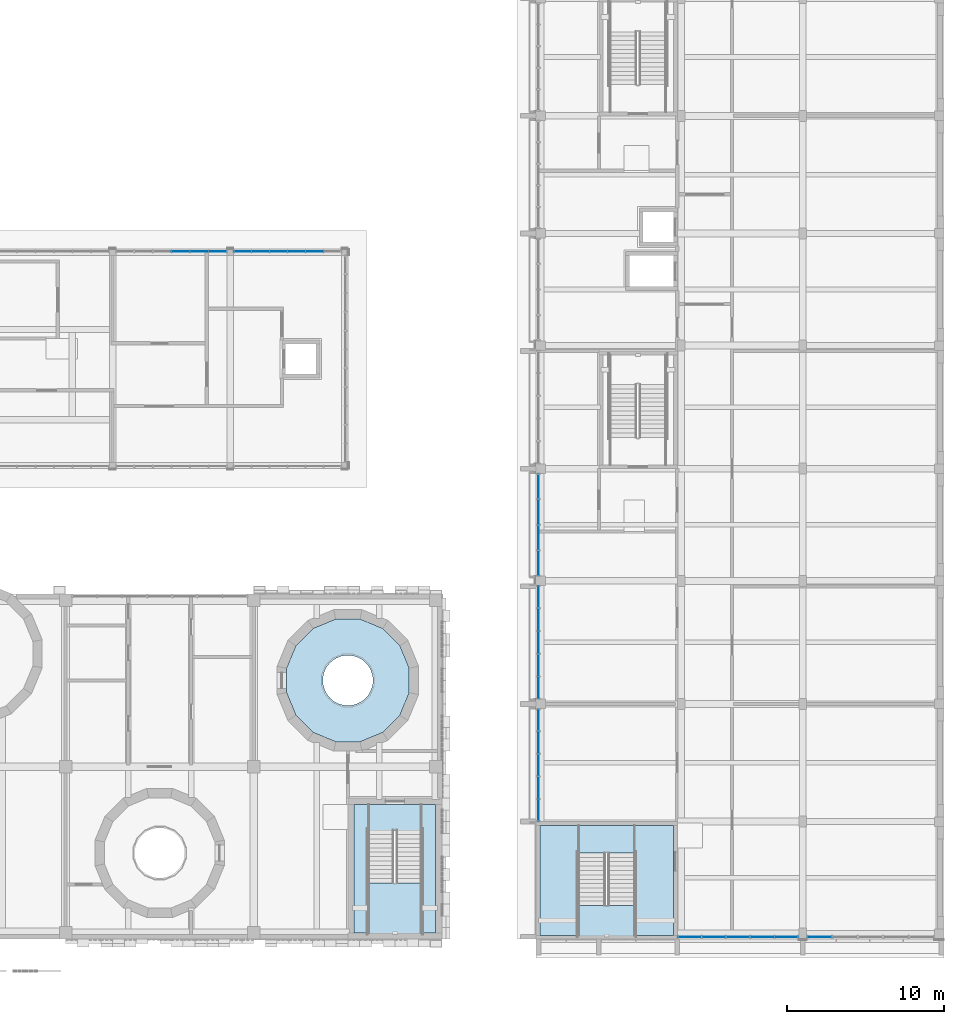
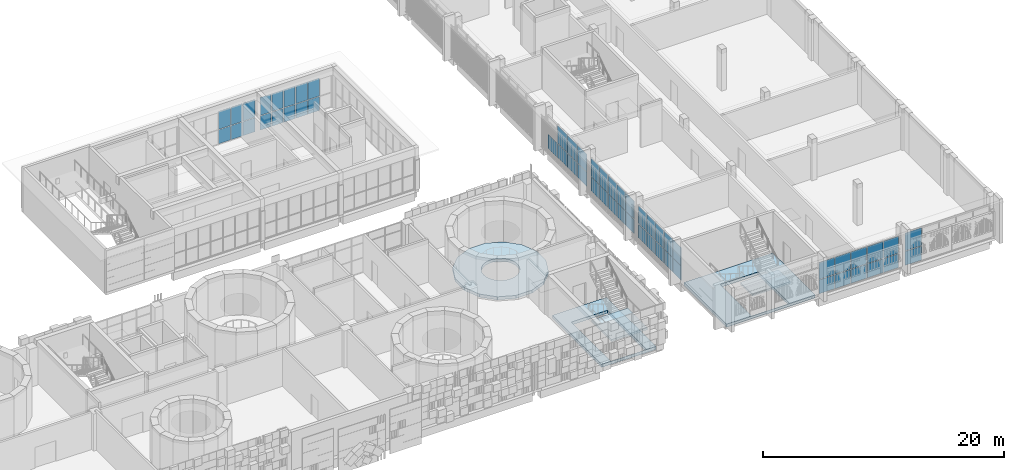
# One storey, part 42 of 92: 55 plates, 5 slabs, 9 elements without a shape of their own.
"""IFC4 building model written with IfcOpenShell, lengths in metres."""

from ifc_helpers import new_model, si_unit, direction, frame, origin, origin_2d, place, context, subcontext, project, spatial, polyline, rectangle, outline, extrude, material, layer, layer_set, type_object, element, aggregate, save


model = new_model("IFC4")

# Units and contexts
model_context = context("Model", 3, precision=1e-05, world=origin(), true_north=direction((0.0, 1.0)))
body_context = subcontext(model_context, "Body", "Model", "MODEL_VIEW")
ifc_project = project(units=[si_unit("LENGTHUNIT", "METRE"), si_unit("AREAUNIT", "SQUARE_METRE"), si_unit("VOLUMEUNIT", "CUBIC_METRE"), si_unit("PLANEANGLEUNIT", "RADIAN"), si_unit("MASSUNIT", "GRAM", prefix="KILO")], contexts=[model_context])

# Site, building, storey
site_placement = place(None, origin())
site = spatial("IfcSite", under=ifc_project, at=site_placement, CompositionType="ELEMENT")
building_placement = place(site_placement, origin())
building = spatial("IfcBuilding", under=site, at=building_placement, Name="Sun Court Science Centre", CompositionType="ELEMENT")
storey_placement = place(building_placement, frame((0.0, 0.0, 11.25)))
storey = spatial("IfcBuildingStorey", under=building, at=storey_placement, Name="L02", CompositionType="ELEMENT", Elevation=11.25)

# Curtain wall, plates
ifc_material_1 = material(Name="Aluminium EN AW-6063 T6", Category="aluminium")
curtain_wall_type_1 = type_object("IfcCurtainWallType", Name="Pavilion curtain wall 1200", PredefinedType="NOTDEFINED", material=ifc_material_1)
curtain_wall_1_placement = place(storey_placement, origin())
curtain_wall_1 = element("IfcCurtainWall", 1, at=curtain_wall_1_placement, inside=storey, type_object=curtain_wall_type_1, Name="Curtain wall V5 N L02 02", PredefinedType="NOTDEFINED")
ifc_material_2 = material(Name="Toughened safety glass", Category="glass")
ifc_layer_1 = layer(ifc_material_2, 0.0107421875)
ifc_layer_set_1 = layer_set([ifc_layer_1], Name="Toughened safety glass")
plate_type_1 = type_object("IfcPlateType", Name="Pavilion toughened glazing panel 10.8", PredefinedType="CURTAIN_PANEL", material=ifc_layer_set_1)
plate_1_placement = place(storey_placement, frame((55.341552734375, 49.85009765625, 0.0498046875), z_axis=(0.0, 0.0, 1.0), x_axis=(1.0, 0.0, 0.0)))
plate_1 = element("IfcPlate", 2, at=plate_1_placement, type_object=plate_type_1, Name="CW3-18 panel 4.1", PredefinedType="CURTAIN_PANEL", context=body_context, shape_type="SweptSolid", body=[
    extrude(rectangle(XDim=1.13330078125, YDim=0.0107421875, at=origin_2d()), origin(), (0.0, 0.0, 1.0), 1.425048828125),
])
plate_2_placement = place(storey_placement, frame((56.52490234375, 49.85009765625, 0.0498046875), z_axis=(0.0, 0.0, 1.0), x_axis=(1.0, 0.0, 0.0)))
plate_2 = element("IfcPlate", 3, at=plate_2_placement, type_object=plate_type_1, Name="CW3-18 panel 5.1", PredefinedType="CURTAIN_PANEL", context=body_context, shape_type="SweptSolid", body=[
    extrude(rectangle(XDim=1.13330078125, YDim=0.0107421875, at=origin_2d()), origin(), (0.0, 0.0, 1.0), 1.425048828125),
])
plate_3_placement = place(storey_placement, frame((57.69580078125, 49.85009765625, 0.0498046875), z_axis=(0.0, 0.0, 1.0), x_axis=(1.0, 0.0, 0.0)))
plate_3 = element("IfcPlate", 4, at=plate_3_placement, type_object=plate_type_1, Name="CW3-18 panel 6.1", PredefinedType="CURTAIN_PANEL", context=body_context, shape_type="SweptSolid", body=[
    extrude(rectangle(XDim=1.1083984375, YDim=0.0107421875, at=origin_2d()), origin(), (0.0, 0.0, 1.0), 1.425048828125),
])
plate_4_placement = place(storey_placement, frame((55.341552734375, 49.85009765625, 1.52490234375), z_axis=(0.0, 0.0, 1.0), x_axis=(1.0, 0.0, 0.0)))
plate_4 = element("IfcPlate", 5, at=plate_4_placement, type_object=plate_type_1, Name="CW3-18 panel 4.2", PredefinedType="CURTAIN_PANEL", context=body_context, shape_type="SweptSolid", body=[
    extrude(rectangle(XDim=1.13330078125, YDim=0.0107421875, at=origin_2d()), origin(), (0.0, 0.0, 1.0), 1.824951171875),
])
plate_5_placement = place(storey_placement, frame((56.52490234375, 49.85009765625, 1.52490234375), z_axis=(0.0, 0.0, 1.0), x_axis=(1.0, 0.0, 0.0)))
plate_5 = element("IfcPlate", 6, at=plate_5_placement, type_object=plate_type_1, Name="CW3-18 panel 5.2", PredefinedType="CURTAIN_PANEL", context=body_context, shape_type="SweptSolid", body=[
    extrude(rectangle(XDim=1.13330078125, YDim=0.0107421875, at=origin_2d()), origin(), (0.0, 0.0, 1.0), 1.824951171875),
])
plate_6_placement = place(storey_placement, frame((57.69580078125, 49.85009765625, 1.52490234375), z_axis=(0.0, 0.0, 1.0), x_axis=(1.0, 0.0, 0.0)))
plate_6 = element("IfcPlate", 7, at=plate_6_placement, type_object=plate_type_1, Name="CW3-18 panel 6.2", PredefinedType="CURTAIN_PANEL", context=body_context, shape_type="SweptSolid", body=[
    extrude(rectangle(XDim=1.1083984375, YDim=0.0107421875, at=origin_2d()), origin(), (0.0, 0.0, 1.0), 1.824951171875),
])
aggregate(curtain_wall_1, [plate_1, plate_2, plate_3, plate_4, plate_5, plate_6])

curtain_wall_2_placement = place(storey_placement, origin())
curtain_wall_2 = element("IfcCurtainWall", 8, at=curtain_wall_2_placement, inside=storey, type_object=curtain_wall_type_1, Name="Curtain wall V5 N L02 03", PredefinedType="NOTDEFINED")
plate_7_placement = place(storey_placement, frame((59.28759765625, 49.85009765625, 0.0498046875), z_axis=(0.0, 0.0, 1.0), x_axis=(1.0, 0.0, 0.0)))
plate_7 = element("IfcPlate", 9, at=plate_7_placement, type_object=plate_type_1, Name="CW3-19 panel 1.1", PredefinedType="CURTAIN_PANEL", context=body_context, shape_type="SweptSolid", body=[
    extrude(rectangle(XDim=1.074951171875, YDim=0.0107421875, at=origin_2d()), origin(), (0.0, 0.0, 1.0), 1.425048828125),
])
plate_8_placement = place(storey_placement, frame((60.425048828125, 49.85009765625, 0.0498046875), z_axis=(0.0, 0.0, 1.0), x_axis=(1.0, 0.0, 0.0)))
plate_8 = element("IfcPlate", 10, at=plate_8_placement, type_object=plate_type_1, Name="CW3-19 panel 2.1", PredefinedType="CURTAIN_PANEL", context=body_context, shape_type="SweptSolid", body=[
    extrude(rectangle(XDim=1.10009765625, YDim=0.0107421875, at=origin_2d()), origin(), (0.0, 0.0, 1.0), 1.425048828125),
])
plate_9_placement = place(storey_placement, frame((61.574951171875, 49.85009765625, 0.0498046875), z_axis=(0.0, 0.0, 1.0), x_axis=(1.0, 0.0, 0.0)))
plate_9 = element("IfcPlate", 11, at=plate_9_placement, type_object=plate_type_1, Name="CW3-19 panel 3.1", PredefinedType="CURTAIN_PANEL", context=body_context, shape_type="SweptSolid", body=[
    extrude(rectangle(XDim=1.10009765625, YDim=0.0107421875, at=origin_2d()), origin(), (0.0, 0.0, 1.0), 1.425048828125),
])
plate_10_placement = place(storey_placement, frame((62.72509765625, 49.85009765625, 0.0498046875), z_axis=(0.0, 0.0, 1.0), x_axis=(1.0, 0.0, 0.0)))
plate_10 = element("IfcPlate", 12, at=plate_10_placement, type_object=plate_type_1, Name="CW3-19 panel 4.1", PredefinedType="CURTAIN_PANEL", context=body_context, shape_type="SweptSolid", body=[
    extrude(rectangle(XDim=1.10009765625, YDim=0.0107421875, at=origin_2d()), origin(), (0.0, 0.0, 1.0), 1.425048828125),
])
plate_11_placement = place(storey_placement, frame((63.875, 49.85009765625, 0.0498046875), z_axis=(0.0, 0.0, 1.0), x_axis=(1.0, 0.0, 0.0)))
plate_11 = element("IfcPlate", 13, at=plate_11_placement, type_object=plate_type_1, Name="CW3-19 panel 5.1", PredefinedType="CURTAIN_PANEL", context=body_context, shape_type="SweptSolid", body=[
    extrude(rectangle(XDim=1.10009765625, YDim=0.0107421875, at=origin_2d()), origin(), (0.0, 0.0, 1.0), 1.425048828125),
])
plate_12_placement = place(storey_placement, frame((59.28759765625, 49.85009765625, 1.52490234375), z_axis=(0.0, 0.0, 1.0), x_axis=(1.0, 0.0, 0.0)))
plate_12 = element("IfcPlate", 14, at=plate_12_placement, type_object=plate_type_1, Name="CW3-19 panel 1.2", PredefinedType="CURTAIN_PANEL", context=body_context, shape_type="SweptSolid", body=[
    extrude(rectangle(XDim=1.074951171875, YDim=0.0107421875, at=origin_2d()), origin(), (0.0, 0.0, 1.0), 1.824951171875),
])
plate_13_placement = place(storey_placement, frame((60.425048828125, 49.85009765625, 1.52490234375), z_axis=(0.0, 0.0, 1.0), x_axis=(1.0, 0.0, 0.0)))
plate_13 = element("IfcPlate", 15, at=plate_13_placement, type_object=plate_type_1, Name="CW3-19 panel 2.2", PredefinedType="CURTAIN_PANEL", context=body_context, shape_type="SweptSolid", body=[
    extrude(rectangle(XDim=1.10009765625, YDim=0.0107421875, at=origin_2d()), origin(), (0.0, 0.0, 1.0), 1.824951171875),
])
plate_14_placement = place(storey_placement, frame((61.574951171875, 49.85009765625, 1.52490234375), z_axis=(0.0, 0.0, 1.0), x_axis=(1.0, 0.0, 0.0)))
plate_14 = element("IfcPlate", 16, at=plate_14_placement, type_object=plate_type_1, Name="CW3-19 panel 3.2", PredefinedType="CURTAIN_PANEL", context=body_context, shape_type="SweptSolid", body=[
    extrude(rectangle(XDim=1.10009765625, YDim=0.0107421875, at=origin_2d()), origin(), (0.0, 0.0, 1.0), 1.824951171875),
])
plate_15_placement = place(storey_placement, frame((62.72509765625, 49.85009765625, 1.52490234375), z_axis=(0.0, 0.0, 1.0), x_axis=(1.0, 0.0, 0.0)))
plate_15 = element("IfcPlate", 17, at=plate_15_placement, type_object=plate_type_1, Name="CW3-19 panel 4.2", PredefinedType="CURTAIN_PANEL", context=body_context, shape_type="SweptSolid", body=[
    extrude(rectangle(XDim=1.10009765625, YDim=0.0107421875, at=origin_2d()), origin(), (0.0, 0.0, 1.0), 1.824951171875),
])
plate_16_placement = place(storey_placement, frame((63.875, 49.85009765625, 1.52490234375), z_axis=(0.0, 0.0, 1.0), x_axis=(1.0, 0.0, 0.0)))
plate_16 = element("IfcPlate", 18, at=plate_16_placement, type_object=plate_type_1, Name="CW3-19 panel 5.2", PredefinedType="CURTAIN_PANEL", context=body_context, shape_type="SweptSolid", body=[
    extrude(rectangle(XDim=1.10009765625, YDim=0.0107421875, at=origin_2d()), origin(), (0.0, 0.0, 1.0), 1.824951171875),
])
aggregate(curtain_wall_2, [plate_7, plate_8, plate_9, plate_10, plate_11, plate_12, plate_13, plate_14, plate_15, plate_16])

# Slabs
ifc_material_3 = material(Name="Concrete C25/30", Category="concrete")
ifc_layer_2 = layer(ifc_material_3, 0.300048828125)
ifc_layer_set_2 = layer_set([ifc_layer_2], Name="Concrete C25/30")
slab_type_1 = type_object("IfcSlabType", Name="RC floor slab 300", PredefinedType="FLOOR", material=ifc_layer_set_2)
slab_1_placement = place(storey_placement, frame((0.0, 0.0, -0.300048828125)))
element("IfcSlab", 19, at=slab_1_placement, inside=storey, type_object=slab_type_1, Name="Stair SB3 landing slab L02", PredefinedType="FLOOR", context=body_context, shape_type="SweptSolid", body=[
    extrude(outline(polyline([(66.39990234375, 14.60009765625), (66.39990234375, 6.39990234375), (71.60009765625, 6.39990234375), (71.60009765625, 14.60009765625), (66.39990234375, 14.60009765625)]), holes=[polyline([(67.277099609375, 6.405029296875), (67.277099609375, 12.947021484375), (70.722900390625, 12.947021484375), (70.722900390625, 6.405029296875), (67.277099609375, 6.405029296875)])]), origin(), (0.0, 0.0, 1.0), 0.300048828125),
])
slab_2_placement = place(storey_placement, frame((0.0, 0.0, -0.300048828125)))
element("IfcSlab", 20, at=slab_2_placement, inside=storey, type_object=slab_type_1, Name="Cone 6 gallery floor L02", PredefinedType="FLOOR", context=body_context, shape_type="SweptSolid", body=[
    extrude(outline(polyline([(69.91162109375, 21.721923828125), (69.91162109375, 23.278076171875), (69.316162109375, 24.7158203125), (68.2158203125, 25.816162109375), (66.778076171875, 26.41162109375), (65.221923828125, 26.41162109375), (63.7841796875, 25.816162109375), (62.683837890625, 24.7158203125), (62.08837890625, 23.278076171875), (62.08837890625, 21.721923828125), (62.683837890625, 20.2841796875), (63.7841796875, 19.183837890625), (65.221923828125, 18.58837890625), (66.778076171875, 18.58837890625), (68.2158203125, 19.183837890625), (69.316162109375, 20.2841796875), (69.91162109375, 21.721923828125)]), holes=[polyline([(67.58642578125, 22.708740234375), (67.60009765625, 22.5), (67.58642578125, 22.291259765625), (67.54541015625, 22.0859375), (67.478271484375, 21.8876953125), (67.3857421875, 21.699951171875), (67.269287109375, 21.52587890625), (67.13134765625, 21.36865234375), (66.97412109375, 21.230712890625), (66.800048828125, 21.1142578125), (66.6123046875, 21.021728515625), (66.4140625, 20.95458984375), (66.208740234375, 20.91357421875), (66.0, 20.89990234375), (65.791259765625, 20.91357421875), (65.5859375, 20.95458984375), (65.3876953125, 21.021728515625), (65.199951171875, 21.1142578125), (65.02587890625, 21.230712890625), (64.86865234375, 21.36865234375), (64.730712890625, 21.52587890625), (64.6142578125, 21.699951171875), (64.521728515625, 21.8876953125), (64.45458984375, 22.0859375), (64.41357421875, 22.291259765625), (64.39990234375, 22.5), (64.41357421875, 22.708740234375), (64.45458984375, 22.9140625), (64.521728515625, 23.1123046875), (64.6142578125, 23.300048828125), (64.730712890625, 23.47412109375), (64.86865234375, 23.63134765625), (65.02587890625, 23.769287109375), (65.199951171875, 23.8857421875), (65.3876953125, 23.978271484375), (65.5859375, 24.04541015625), (65.791259765625, 24.08642578125), (66.0, 24.10009765625), (66.208740234375, 24.08642578125), (66.4140625, 24.04541015625), (66.6123046875, 23.978271484375), (66.800048828125, 23.8857421875), (66.97412109375, 23.769287109375), (67.13134765625, 23.63134765625), (67.269287109375, 23.47412109375), (67.3857421875, 23.300048828125), (67.478271484375, 23.1123046875), (67.54541015625, 22.9140625), (67.58642578125, 22.708740234375)])]), origin(), (0.0, 0.0, 1.0), 0.300048828125),
])
slab_3_placement = place(storey_placement, frame((0.0, 0.0, -0.300048828125)))
element("IfcSlab", 21, at=slab_3_placement, inside=storey, type_object=slab_type_1, Name="Stair SL1 landing slab L02", PredefinedType="FLOOR", context=body_context, shape_type="SweptSolid", body=[
    extrude(outline(polyline([(78.25, 13.25), (78.25, 6.25), (86.75, 6.25), (86.75, 13.25), (78.25, 13.25)]), holes=[polyline([(80.677001953125, 6.2548828125), (80.677001953125, 11.4970703125), (84.322998046875, 11.4970703125), (84.322998046875, 6.2548828125), (80.677001953125, 6.2548828125)])]), origin(), (0.0, 0.0, 1.0), 0.300048828125),
])

# Curtain wall, plates
ifc_material_4 = material(Name="Aluminium EN AW-6063 T6", Category="aluminium")
curtain_wall_type_2 = type_object("IfcCurtainWallType", Name="Laboratory tall bay curtain wall 1500", PredefinedType="NOTDEFINED", material=ifc_material_4)
curtain_wall_3_placement = place(storey_placement, origin())
curtain_wall_3 = element("IfcCurtainWall", 22, at=curtain_wall_3_placement, inside=storey, type_object=curtain_wall_type_2, Name="Curtain wall V4 W L02 01", PredefinedType="NOTDEFINED")
ifc_material_5 = material(Name="Solar-control glass", Category="glass")
ifc_layer_3 = layer(ifc_material_5, 0.028076171875)
ifc_layer_set_3 = layer_set([ifc_layer_3], Name="Solar-control glass")
plate_type_2 = type_object("IfcPlateType", Name="Solar-control glazing panel 8-12-8", PredefinedType="CURTAIN_PANEL", material=ifc_layer_set_3)
plate_17_placement = place(storey_placement, frame((78.14990234375, 14.235107421875, 0.06005859375), z_axis=(0.0, 0.0, 1.0), x_axis=(0.0, 1.0, 0.0)))
plate_17 = element("IfcPlate", 23, at=plate_17_placement, type_object=plate_type_2, Name="CW2-19 panel 1.1", PredefinedType="CURTAIN_PANEL", context=body_context, shape_type="SweptSolid", body=[
    extrude(rectangle(XDim=1.35009765625, YDim=0.028076171875, at=origin_2d()), origin(), (0.0, 0.0, 1.0), 1.409912109375),
])
plate_18_placement = place(storey_placement, frame((78.14990234375, 15.659912109375, 0.06005859375), z_axis=(0.0, 0.0, 1.0), x_axis=(0.0, 1.0, 0.0)))
plate_18 = element("IfcPlate", 24, at=plate_18_placement, type_object=plate_type_2, Name="CW2-19 panel 2.1", PredefinedType="CURTAIN_PANEL", context=body_context, shape_type="SweptSolid", body=[
    extrude(rectangle(XDim=1.3798828125, YDim=0.028076171875, at=origin_2d()), origin(), (0.0, 0.0, 1.0), 1.409912109375),
])
plate_19_placement = place(storey_placement, frame((78.14990234375, 17.10009765625, 0.06005859375), z_axis=(0.0, 0.0, 1.0), x_axis=(0.0, 1.0, 0.0)))
plate_19 = element("IfcPlate", 25, at=plate_19_placement, type_object=plate_type_2, Name="CW2-19 panel 3.1", PredefinedType="CURTAIN_PANEL", context=body_context, shape_type="SweptSolid", body=[
    extrude(rectangle(XDim=1.3798828125, YDim=0.028076171875, at=origin_2d()), origin(), (0.0, 0.0, 1.0), 1.409912109375),
])
plate_20_placement = place(storey_placement, frame((78.14990234375, 18.5400390625, 0.06005859375), z_axis=(0.0, 0.0, 1.0), x_axis=(0.0, 1.0, 0.0)))
plate_20 = element("IfcPlate", 26, at=plate_20_placement, type_object=plate_type_2, Name="CW2-19 panel 4.1", PredefinedType="CURTAIN_PANEL", context=body_context, shape_type="SweptSolid", body=[
    extrude(rectangle(XDim=1.3798828125, YDim=0.028076171875, at=origin_2d()), origin(), (0.0, 0.0, 1.0), 1.409912109375),
])
plate_21_placement = place(storey_placement, frame((78.14990234375, 19.965087890625, 0.06005859375), z_axis=(0.0, 0.0, 1.0), x_axis=(0.0, 1.0, 0.0)))
plate_21 = element("IfcPlate", 27, at=plate_21_placement, type_object=plate_type_2, Name="CW2-19 panel 5.1", PredefinedType="CURTAIN_PANEL", context=body_context, shape_type="SweptSolid", body=[
    extrude(rectangle(XDim=1.35009765625, YDim=0.028076171875, at=origin_2d()), origin(), (0.0, 0.0, 1.0), 1.409912109375),
])
plate_22_placement = place(storey_placement, frame((78.14990234375, 14.235107421875, 1.530029296875), z_axis=(0.0, 0.0, 1.0), x_axis=(0.0, 1.0, 0.0)))
plate_22 = element("IfcPlate", 28, at=plate_22_placement, type_object=plate_type_2, Name="CW2-19 panel 1.2", PredefinedType="CURTAIN_PANEL", context=body_context, shape_type="SweptSolid", body=[
    extrude(rectangle(XDim=1.35009765625, YDim=0.028076171875, at=origin_2d()), origin(), (0.0, 0.0, 1.0), 1.81005859375),
])
plate_23_placement = place(storey_placement, frame((78.14990234375, 15.659912109375, 1.530029296875), z_axis=(0.0, 0.0, 1.0), x_axis=(0.0, 1.0, 0.0)))
plate_23 = element("IfcPlate", 29, at=plate_23_placement, type_object=plate_type_2, Name="CW2-19 panel 2.2", PredefinedType="CURTAIN_PANEL", context=body_context, shape_type="SweptSolid", body=[
    extrude(rectangle(XDim=1.3798828125, YDim=0.028076171875, at=origin_2d()), origin(), (0.0, 0.0, 1.0), 1.81005859375),
])
plate_24_placement = place(storey_placement, frame((78.14990234375, 17.10009765625, 1.530029296875), z_axis=(0.0, 0.0, 1.0), x_axis=(0.0, 1.0, 0.0)))
plate_24 = element("IfcPlate", 30, at=plate_24_placement, type_object=plate_type_2, Name="CW2-19 panel 3.2", PredefinedType="CURTAIN_PANEL", context=body_context, shape_type="SweptSolid", body=[
    extrude(rectangle(XDim=1.3798828125, YDim=0.028076171875, at=origin_2d()), origin(), (0.0, 0.0, 1.0), 1.81005859375),
])
plate_25_placement = place(storey_placement, frame((78.14990234375, 18.5400390625, 1.530029296875), z_axis=(0.0, 0.0, 1.0), x_axis=(0.0, 1.0, 0.0)))
plate_25 = element("IfcPlate", 31, at=plate_25_placement, type_object=plate_type_2, Name="CW2-19 panel 4.2", PredefinedType="CURTAIN_PANEL", context=body_context, shape_type="SweptSolid", body=[
    extrude(rectangle(XDim=1.3798828125, YDim=0.028076171875, at=origin_2d()), origin(), (0.0, 0.0, 1.0), 1.81005859375),
])
plate_26_placement = place(storey_placement, frame((78.14990234375, 19.965087890625, 1.530029296875), z_axis=(0.0, 0.0, 1.0), x_axis=(0.0, 1.0, 0.0)))
plate_26 = element("IfcPlate", 32, at=plate_26_placement, type_object=plate_type_2, Name="CW2-19 panel 5.2", PredefinedType="CURTAIN_PANEL", context=body_context, shape_type="SweptSolid", body=[
    extrude(rectangle(XDim=1.35009765625, YDim=0.028076171875, at=origin_2d()), origin(), (0.0, 0.0, 1.0), 1.81005859375),
])
aggregate(curtain_wall_3, [plate_17, plate_18, plate_19, plate_20, plate_21, plate_22, plate_23, plate_24, plate_25, plate_26])

curtain_wall_4_placement = place(storey_placement, origin())
curtain_wall_4 = element("IfcCurtainWall", 33, at=curtain_wall_4_placement, inside=storey, type_object=curtain_wall_type_2, Name="Curtain wall V4 W L02 02", PredefinedType="NOTDEFINED")
plate_27_placement = place(storey_placement, frame((78.14990234375, 22.0400390625, 0.06005859375), z_axis=(0.0, 0.0, 1.0), x_axis=(0.0, 1.0, 0.0)))
plate_27 = element("IfcPlate", 34, at=plate_27_placement, type_object=plate_type_2, Name="CW2-20 panel 1.1", PredefinedType="CURTAIN_PANEL", context=body_context, shape_type="SweptSolid", body=[
    extrude(rectangle(XDim=1.360107421875, YDim=0.028076171875, at=origin_2d()), origin(), (0.0, 0.0, 1.0), 1.409912109375),
])
plate_28_placement = place(storey_placement, frame((78.14990234375, 23.47509765625, 0.06005859375), z_axis=(0.0, 0.0, 1.0), x_axis=(0.0, 1.0, 0.0)))
plate_28 = element("IfcPlate", 35, at=plate_28_placement, type_object=plate_type_2, Name="CW2-20 panel 2.1", PredefinedType="CURTAIN_PANEL", context=body_context, shape_type="SweptSolid", body=[
    extrude(rectangle(XDim=1.389892578125, YDim=0.028076171875, at=origin_2d()), origin(), (0.0, 0.0, 1.0), 1.409912109375),
])
plate_29_placement = place(storey_placement, frame((78.14990234375, 24.925048828125, 0.06005859375), z_axis=(0.0, 0.0, 1.0), x_axis=(0.0, 1.0, 0.0)))
plate_29 = element("IfcPlate", 36, at=plate_29_placement, type_object=plate_type_2, Name="CW2-20 panel 3.1", PredefinedType="CURTAIN_PANEL", context=body_context, shape_type="SweptSolid", body=[
    extrude(rectangle(XDim=1.389892578125, YDim=0.028076171875, at=origin_2d()), origin(), (0.0, 0.0, 1.0), 1.409912109375),
])
plate_30_placement = place(storey_placement, frame((78.14990234375, 26.375, 0.06005859375), z_axis=(0.0, 0.0, 1.0), x_axis=(0.0, 1.0, 0.0)))
plate_30 = element("IfcPlate", 37, at=plate_30_placement, type_object=plate_type_2, Name="CW2-20 panel 4.1", PredefinedType="CURTAIN_PANEL", context=body_context, shape_type="SweptSolid", body=[
    extrude(rectangle(XDim=1.389892578125, YDim=0.028076171875, at=origin_2d()), origin(), (0.0, 0.0, 1.0), 1.409912109375),
])
plate_31_placement = place(storey_placement, frame((78.14990234375, 27.81005859375, 0.06005859375), z_axis=(0.0, 0.0, 1.0), x_axis=(0.0, 1.0, 0.0)))
plate_31 = element("IfcPlate", 38, at=plate_31_placement, type_object=plate_type_2, Name="CW2-20 panel 5.1", PredefinedType="CURTAIN_PANEL", context=body_context, shape_type="SweptSolid", body=[
    extrude(rectangle(XDim=1.360107421875, YDim=0.028076171875, at=origin_2d()), origin(), (0.0, 0.0, 1.0), 1.409912109375),
])
plate_32_placement = place(storey_placement, frame((78.14990234375, 22.0400390625, 1.530029296875), z_axis=(0.0, 0.0, 1.0), x_axis=(0.0, 1.0, 0.0)))
plate_32 = element("IfcPlate", 39, at=plate_32_placement, type_object=plate_type_2, Name="CW2-20 panel 1.2", PredefinedType="CURTAIN_PANEL", context=body_context, shape_type="SweptSolid", body=[
    extrude(rectangle(XDim=1.360107421875, YDim=0.028076171875, at=origin_2d()), origin(), (0.0, 0.0, 1.0), 1.81005859375),
])
plate_33_placement = place(storey_placement, frame((78.14990234375, 23.47509765625, 1.530029296875), z_axis=(0.0, 0.0, 1.0), x_axis=(0.0, 1.0, 0.0)))
plate_33 = element("IfcPlate", 40, at=plate_33_placement, type_object=plate_type_2, Name="CW2-20 panel 2.2", PredefinedType="CURTAIN_PANEL", context=body_context, shape_type="SweptSolid", body=[
    extrude(rectangle(XDim=1.389892578125, YDim=0.028076171875, at=origin_2d()), origin(), (0.0, 0.0, 1.0), 1.81005859375),
])
plate_34_placement = place(storey_placement, frame((78.14990234375, 24.925048828125, 1.530029296875), z_axis=(0.0, 0.0, 1.0), x_axis=(0.0, 1.0, 0.0)))
plate_34 = element("IfcPlate", 41, at=plate_34_placement, type_object=plate_type_2, Name="CW2-20 panel 3.2", PredefinedType="CURTAIN_PANEL", context=body_context, shape_type="SweptSolid", body=[
    extrude(rectangle(XDim=1.389892578125, YDim=0.028076171875, at=origin_2d()), origin(), (0.0, 0.0, 1.0), 1.81005859375),
])
plate_35_placement = place(storey_placement, frame((78.14990234375, 26.375, 1.530029296875), z_axis=(0.0, 0.0, 1.0), x_axis=(0.0, 1.0, 0.0)))
plate_35 = element("IfcPlate", 42, at=plate_35_placement, type_object=plate_type_2, Name="CW2-20 panel 4.2", PredefinedType="CURTAIN_PANEL", context=body_context, shape_type="SweptSolid", body=[
    extrude(rectangle(XDim=1.389892578125, YDim=0.028076171875, at=origin_2d()), origin(), (0.0, 0.0, 1.0), 1.81005859375),
])
plate_36_placement = place(storey_placement, frame((78.14990234375, 27.81005859375, 1.530029296875), z_axis=(0.0, 0.0, 1.0), x_axis=(0.0, 1.0, 0.0)))
plate_36 = element("IfcPlate", 43, at=plate_36_placement, type_object=plate_type_2, Name="CW2-20 panel 5.2", PredefinedType="CURTAIN_PANEL", context=body_context, shape_type="SweptSolid", body=[
    extrude(rectangle(XDim=1.360107421875, YDim=0.028076171875, at=origin_2d()), origin(), (0.0, 0.0, 1.0), 1.81005859375),
])
aggregate(curtain_wall_4, [plate_27, plate_28, plate_29, plate_30, plate_31, plate_32, plate_33, plate_34, plate_35, plate_36])

curtain_wall_5_placement = place(storey_placement, origin())
curtain_wall_5 = element("IfcCurtainWall", 44, at=curtain_wall_5_placement, inside=storey, type_object=curtain_wall_type_2, Name="Curtain wall V4 W L02 03", PredefinedType="NOTDEFINED")
plate_37_placement = place(storey_placement, frame((78.14990234375, 29.983642578125, 0.06005859375), z_axis=(0.0, 0.0, 1.0), x_axis=(0.0, 1.0, 0.0)))
plate_37 = element("IfcPlate", 45, at=plate_37_placement, type_object=plate_type_2, Name="CW2-21 panel 1.1", PredefinedType="CURTAIN_PANEL", context=body_context, shape_type="SweptSolid", body=[
    extrude(rectangle(XDim=1.547607421875, YDim=0.028076171875, at=origin_2d()), origin(), (0.0, 0.0, 1.0), 1.409912109375),
])
plate_38_placement = place(storey_placement, frame((78.14990234375, 31.606201171875, 0.06005859375), z_axis=(0.0, 0.0, 1.0), x_axis=(0.0, 1.0, 0.0)))
plate_38 = element("IfcPlate", 46, at=plate_38_placement, type_object=plate_type_2, Name="CW2-21 panel 2.1", PredefinedType="CURTAIN_PANEL", context=body_context, shape_type="SweptSolid", body=[
    extrude(rectangle(XDim=1.577392578125, YDim=0.028076171875, at=origin_2d()), origin(), (0.0, 0.0, 1.0), 1.409912109375),
])
plate_39_placement = place(storey_placement, frame((78.14990234375, 33.24365234375, 0.06005859375), z_axis=(0.0, 0.0, 1.0), x_axis=(0.0, 1.0, 0.0)))
plate_39 = element("IfcPlate", 47, at=plate_39_placement, type_object=plate_type_2, Name="CW2-21 panel 3.1", PredefinedType="CURTAIN_PANEL", context=body_context, shape_type="SweptSolid", body=[
    extrude(rectangle(XDim=1.577392578125, YDim=0.028076171875, at=origin_2d()), origin(), (0.0, 0.0, 1.0), 1.409912109375),
])
plate_40_placement = place(storey_placement, frame((78.14990234375, 34.8662109375, 0.06005859375), z_axis=(0.0, 0.0, 1.0), x_axis=(0.0, 1.0, 0.0)))
plate_40 = element("IfcPlate", 48, at=plate_40_placement, type_object=plate_type_2, Name="CW2-21 panel 4.1", PredefinedType="CURTAIN_PANEL", context=body_context, shape_type="SweptSolid", body=[
    extrude(rectangle(XDim=1.547607421875, YDim=0.028076171875, at=origin_2d()), origin(), (0.0, 0.0, 1.0), 1.409912109375),
])
plate_41_placement = place(storey_placement, frame((78.14990234375, 29.983642578125, 1.530029296875), z_axis=(0.0, 0.0, 1.0), x_axis=(0.0, 1.0, 0.0)))
plate_41 = element("IfcPlate", 49, at=plate_41_placement, type_object=plate_type_2, Name="CW2-21 panel 1.2", PredefinedType="CURTAIN_PANEL", context=body_context, shape_type="SweptSolid", body=[
    extrude(rectangle(XDim=1.547607421875, YDim=0.028076171875, at=origin_2d()), origin(), (0.0, 0.0, 1.0), 1.81005859375),
])
plate_42_placement = place(storey_placement, frame((78.14990234375, 31.606201171875, 1.530029296875), z_axis=(0.0, 0.0, 1.0), x_axis=(0.0, 1.0, 0.0)))
plate_42 = element("IfcPlate", 50, at=plate_42_placement, type_object=plate_type_2, Name="CW2-21 panel 2.2", PredefinedType="CURTAIN_PANEL", context=body_context, shape_type="SweptSolid", body=[
    extrude(rectangle(XDim=1.577392578125, YDim=0.028076171875, at=origin_2d()), origin(), (0.0, 0.0, 1.0), 1.81005859375),
])
plate_43_placement = place(storey_placement, frame((78.14990234375, 33.24365234375, 1.530029296875), z_axis=(0.0, 0.0, 1.0), x_axis=(0.0, 1.0, 0.0)))
plate_43 = element("IfcPlate", 51, at=plate_43_placement, type_object=plate_type_2, Name="CW2-21 panel 3.2", PredefinedType="CURTAIN_PANEL", context=body_context, shape_type="SweptSolid", body=[
    extrude(rectangle(XDim=1.577392578125, YDim=0.028076171875, at=origin_2d()), origin(), (0.0, 0.0, 1.0), 1.81005859375),
])
aggregate(curtain_wall_5, [plate_37, plate_38, plate_39, plate_40, plate_41, plate_42, plate_43])

curtain_wall_6_placement = place(storey_placement, origin())
curtain_wall_6 = element("IfcCurtainWall", 52, at=curtain_wall_6_placement, inside=storey, type_object=curtain_wall_type_2, Name="Curtain wall V4 S L02 01", PredefinedType="NOTDEFINED")
plate_44_placement = place(storey_placement, frame((96.080078125, 6.14990234375, 0.06005859375), z_axis=(0.0, 0.0, 1.0), x_axis=(-1.0, 0.0, 0.0)))
plate_44 = element("IfcPlate", 53, at=plate_44_placement, type_object=plate_type_2, Name="CW2-51 panel 5.1", PredefinedType="CURTAIN_PANEL", context=body_context, shape_type="SweptSolid", body=[
    extrude(rectangle(XDim=1.5400390625, YDim=0.028076171875, at=origin_2d()), origin(), (0.0, 0.0, 1.0), 1.409912109375),
])
plate_45_placement = place(storey_placement, frame((96.080078125, 6.14990234375, 1.530029296875), z_axis=(0.0, 0.0, 1.0), x_axis=(-1.0, 0.0, 0.0)))
plate_45 = element("IfcPlate", 54, at=plate_45_placement, type_object=plate_type_2, Name="CW2-51 panel 5.2", PredefinedType="CURTAIN_PANEL", context=body_context, shape_type="SweptSolid", body=[
    extrude(rectangle(XDim=1.5400390625, YDim=0.028076171875, at=origin_2d()), origin(), (0.0, 0.0, 1.0), 1.81005859375),
])
aggregate(curtain_wall_6, [plate_44, plate_45])

curtain_wall_7_placement = place(storey_placement, origin())
curtain_wall_7 = element("IfcCurtainWall", 55, at=curtain_wall_7_placement, inside=storey, type_object=curtain_wall_type_2, Name="Curtain wall V4 S L02 02", PredefinedType="NOTDEFINED")
plate_46_placement = place(storey_placement, frame((87.7900390625, 6.14990234375, 0.06005859375), z_axis=(0.0, 0.0, 1.0), x_axis=(-1.0, 0.0, 0.0)))
plate_46 = element("IfcPlate", 56, at=plate_46_placement, type_object=plate_type_2, Name="CW2-52 panel 5.1", PredefinedType="CURTAIN_PANEL", context=body_context, shape_type="SweptSolid", body=[
    extrude(rectangle(XDim=1.4599609375, YDim=0.028076171875, at=origin_2d()), origin(), (0.0, 0.0, 1.0), 1.409912109375),
])
plate_47_placement = place(storey_placement, frame((89.324951171875, 6.14990234375, 0.06005859375), z_axis=(0.0, 0.0, 1.0), x_axis=(-1.0, 0.0, 0.0)))
plate_47 = element("IfcPlate", 57, at=plate_47_placement, type_object=plate_type_2, Name="CW2-52 panel 4.1", PredefinedType="CURTAIN_PANEL", context=body_context, shape_type="SweptSolid", body=[
    extrude(rectangle(XDim=1.489990234375, YDim=0.028076171875, at=origin_2d()), origin(), (0.0, 0.0, 1.0), 1.409912109375),
])
plate_48_placement = place(storey_placement, frame((90.875, 6.14990234375, 0.06005859375), z_axis=(0.0, 0.0, 1.0), x_axis=(-1.0, 0.0, 0.0)))
plate_48 = element("IfcPlate", 58, at=plate_48_placement, type_object=plate_type_2, Name="CW2-52 panel 3.1", PredefinedType="CURTAIN_PANEL", context=body_context, shape_type="SweptSolid", body=[
    extrude(rectangle(XDim=1.489990234375, YDim=0.028076171875, at=origin_2d()), origin(), (0.0, 0.0, 1.0), 1.409912109375),
])
plate_49_placement = place(storey_placement, frame((92.425048828125, 6.14990234375, 0.06005859375), z_axis=(0.0, 0.0, 1.0), x_axis=(-1.0, 0.0, 0.0)))
plate_49 = element("IfcPlate", 59, at=plate_49_placement, type_object=plate_type_2, Name="CW2-52 panel 2.1", PredefinedType="CURTAIN_PANEL", context=body_context, shape_type="SweptSolid", body=[
    extrude(rectangle(XDim=1.489990234375, YDim=0.028076171875, at=origin_2d()), origin(), (0.0, 0.0, 1.0), 1.409912109375),
])
plate_50_placement = place(storey_placement, frame((93.9599609375, 6.14990234375, 0.06005859375), z_axis=(0.0, 0.0, 1.0), x_axis=(-1.0, 0.0, 0.0)))
plate_50 = element("IfcPlate", 60, at=plate_50_placement, type_object=plate_type_2, Name="CW2-52 panel 1.1", PredefinedType="CURTAIN_PANEL", context=body_context, shape_type="SweptSolid", body=[
    extrude(rectangle(XDim=1.4599609375, YDim=0.028076171875, at=origin_2d()), origin(), (0.0, 0.0, 1.0), 1.409912109375),
])
plate_51_placement = place(storey_placement, frame((87.7900390625, 6.14990234375, 1.530029296875), z_axis=(0.0, 0.0, 1.0), x_axis=(-1.0, 0.0, 0.0)))
plate_51 = element("IfcPlate", 61, at=plate_51_placement, type_object=plate_type_2, Name="CW2-52 panel 5.2", PredefinedType="CURTAIN_PANEL", context=body_context, shape_type="SweptSolid", body=[
    extrude(rectangle(XDim=1.4599609375, YDim=0.028076171875, at=origin_2d()), origin(), (0.0, 0.0, 1.0), 1.7099609375),
])
plate_52_placement = place(storey_placement, frame((89.324951171875, 6.14990234375, 1.530029296875), z_axis=(0.0, 0.0, 1.0), x_axis=(-1.0, 0.0, 0.0)))
plate_52 = element("IfcPlate", 62, at=plate_52_placement, type_object=plate_type_2, Name="CW2-52 panel 4.2", PredefinedType="CURTAIN_PANEL", context=body_context, shape_type="SweptSolid", body=[
    extrude(rectangle(XDim=1.489990234375, YDim=0.028076171875, at=origin_2d()), origin(), (0.0, 0.0, 1.0), 1.7099609375),
])
plate_53_placement = place(storey_placement, frame((90.875, 6.14990234375, 1.530029296875), z_axis=(0.0, 0.0, 1.0), x_axis=(-1.0, 0.0, 0.0)))
plate_53 = element("IfcPlate", 63, at=plate_53_placement, type_object=plate_type_2, Name="CW2-52 panel 3.2", PredefinedType="CURTAIN_PANEL", context=body_context, shape_type="SweptSolid", body=[
    extrude(rectangle(XDim=1.489990234375, YDim=0.028076171875, at=origin_2d()), origin(), (0.0, 0.0, 1.0), 1.7099609375),
])
plate_54_placement = place(storey_placement, frame((92.425048828125, 6.14990234375, 1.530029296875), z_axis=(0.0, 0.0, 1.0), x_axis=(-1.0, 0.0, 0.0)))
plate_54 = element("IfcPlate", 64, at=plate_54_placement, type_object=plate_type_2, Name="CW2-52 panel 2.2", PredefinedType="CURTAIN_PANEL", context=body_context, shape_type="SweptSolid", body=[
    extrude(rectangle(XDim=1.489990234375, YDim=0.028076171875, at=origin_2d()), origin(), (0.0, 0.0, 1.0), 1.7099609375),
])
plate_55_placement = place(storey_placement, frame((93.9599609375, 6.14990234375, 1.530029296875), z_axis=(0.0, 0.0, 1.0), x_axis=(-1.0, 0.0, 0.0)))
plate_55 = element("IfcPlate", 65, at=plate_55_placement, type_object=plate_type_2, Name="CW2-52 panel 1.2", PredefinedType="CURTAIN_PANEL", context=body_context, shape_type="SweptSolid", body=[
    extrude(rectangle(XDim=1.4599609375, YDim=0.028076171875, at=origin_2d()), origin(), (0.0, 0.0, 1.0), 1.7099609375),
])
aggregate(curtain_wall_7, [plate_46, plate_47, plate_48, plate_49, plate_50, plate_51, plate_52, plate_53, plate_54, plate_55])

# Stair, slab
ifc_material_6 = material(Name="Concrete C25/30", Category="concrete")
stair_type = type_object("IfcStairType", Name="Stair 1500 enclosed half-turn", PredefinedType="HALF_TURN_STAIR", material=ifc_material_6)
stair_1_placement = place(storey_placement, origin())
stair_1 = element("IfcStair", 66, at=stair_1_placement, inside=storey, type_object=stair_type, Name="L02 Stair SB3", PredefinedType="HALF_TURN_STAIR")
ifc_material_7 = material(Name="Concrete C25/30", Category="concrete")
ifc_layer_4 = layer(ifc_material_7, 0.199951171875)
ifc_layer_set_4 = layer_set([ifc_layer_4], Name="Concrete C25/30")
slab_type_2 = type_object("IfcSlabType", Name="Stair landing 200", PredefinedType="LANDING", material=ifc_layer_set_4)
slab_4_placement = place(storey_placement, frame((0.0, 0.0, 2.050048828125)))
slab_4 = element("IfcSlab", 67, at=slab_4_placement, type_object=slab_type_2, Name="SB3 landing 1", PredefinedType="LANDING", context=body_context, shape_type="SweptSolid", body=[
    extrude(outline(polyline([(67.277099609375, 9.595947265625), (67.277099609375, 6.300048828125), (70.722900390625, 6.300048828125), (70.722900390625, 9.595947265625), (67.277099609375, 9.595947265625)])), origin(), (0.0, 0.0, 1.0), 0.199951171875),
])
aggregate(stair_1, [slab_4])

stair_2_placement = place(storey_placement, origin())
stair_2 = element("IfcStair", 68, at=stair_2_placement, inside=storey, type_object=stair_type, Name="L02 Stair SL1", PredefinedType="HALF_TURN_STAIR")
slab_5_placement = place(storey_placement, frame((0.0, 0.0, 2.050048828125)))
slab_5 = element("IfcSlab", 69, at=slab_5_placement, type_object=slab_type_2, Name="SL1 landing 1", PredefinedType="LANDING", context=body_context, shape_type="SweptSolid", body=[
    extrude(outline(polyline([(80.677001953125, 8.14599609375), (80.677001953125, 6.14990234375), (84.322998046875, 6.14990234375), (84.322998046875, 8.14599609375), (80.677001953125, 8.14599609375)])), origin(), (0.0, 0.0, 1.0), 0.199951171875),
])
aggregate(stair_2, [slab_5])

save(model, "model.ifc")
